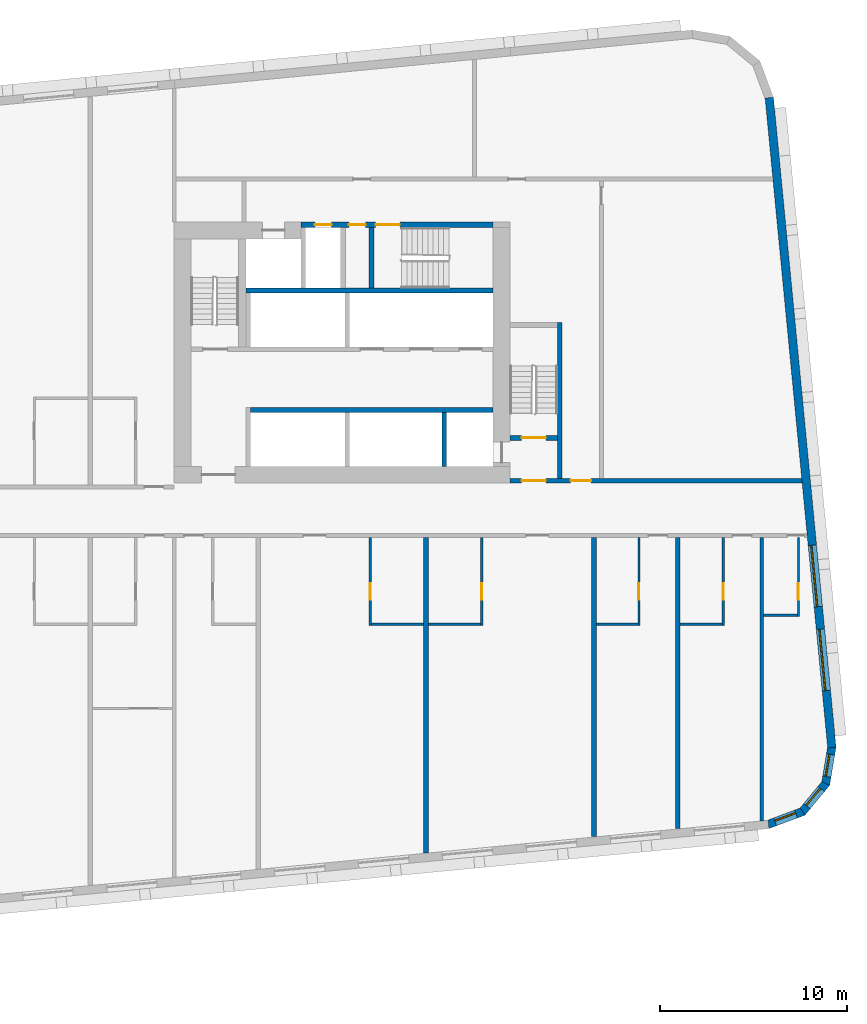
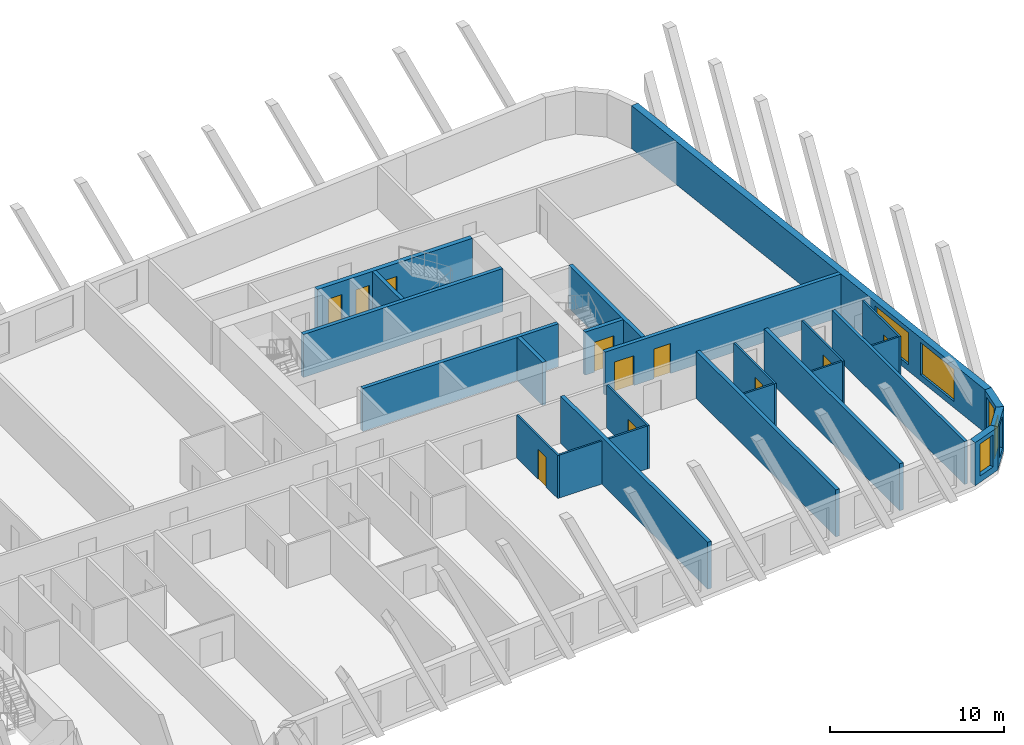
# One storey, part 7 of 13: 26 walls, 11 doors, 5 windows, 16 openings.
"""IFC4 building model written with IfcOpenShell, lengths in metres."""

import ifcopenshell
import ifcopenshell.guid

model = None  # the IFC model being written
_history = None  # IfcOwnerHistory: only IFC2X3 demands one
_inside = {}  # id of a spatial element -> (the spatial element, [elements in it])
_under = {}  # id of a project, library or spatial element -> (it, [spatial elements below it])
_declared = {}  # id of a project -> (the project, [libraries it declares])
_typed = {}  # id of a type object -> (the type object, [elements of that type])
_made_of = {}  # id of a material, layer set ... -> (it, [elements and type objects made of it])


def new_model(schema):
    """Start an empty IFC model of exactly this schema.

    Asked for "IFC4X3", IfcOpenShell would pick the latest addendum, in which some entities
    have other attributes; the version numbers below select the first issue.
    IFC2X3 requires an IfcOwnerHistory on every rooted entity: one is made here for all.
    """
    global model, _history
    if schema == "IFC4X3":
        model = ifcopenshell.file(schema_version=(4, 3, 0, 0))
    else:
        model = ifcopenshell.file(schema=schema)
    _inside.clear()
    _under.clear()
    _declared.clear()
    _typed.clear()
    _made_of.clear()
    _history = None
    if model.schema == "IFC2X3":
        org = make("IfcOrganization", Name="unknown")
        user = make(
            "IfcPersonAndOrganization",
            ThePerson=make("IfcPerson", FamilyName="unknown"),
            TheOrganization=org,
        )
        app = make(
            "IfcApplication",
            ApplicationDeveloper=org,
            Version="unknown",
            ApplicationFullName="unknown",
            ApplicationIdentifier="unknown",
        )
        _history = make(
            "IfcOwnerHistory",
            OwningUser=user,
            OwningApplication=app,
            ChangeAction="ADDED",
            CreationDate=0,
        )
    return model


def make(cls, **values):
    """One entity of the class cls with the attributes given. An attribute that is None is left unset."""
    return model.create_entity(
        cls, **{name: value for name, value in values.items() if value is not None}
    )


def rooted(cls, **values):
    """An entity with a GlobalId (a new one), such as an element, a storey or a relation."""
    return make(cls, GlobalId=ifcopenshell.guid.new(), OwnerHistory=_history, **values)


def si_unit(unit_type, name, prefix=None):
    """IfcSIUnit, for example si_unit("LENGTHUNIT", "METRE", prefix="MILLI")."""
    return make("IfcSIUnit", UnitType=unit_type, Prefix=prefix, Name=name)


def assignment(units):
    """IfcUnitAssignment: the units of a project."""
    return None if units is None else make("IfcUnitAssignment", Units=units)


def point(xyz):
    """IfcCartesianPoint."""
    return None if xyz is None else make("IfcCartesianPoint", Coordinates=xyz)


def direction(xyz):
    """IfcDirection."""
    return None if xyz is None else make("IfcDirection", DirectionRatios=xyz)


def frame(location, z_axis=None, x_axis=None):
    """IfcAxis2Placement3D, a coordinate frame: its origin and axes. An axis left out is left unset."""
    return make(
        "IfcAxis2Placement3D",
        Location=point(location),
        Axis=direction(z_axis),
        RefDirection=direction(x_axis),
    )


def frame_2d(location, x_axis=None):
    """IfcAxis2Placement2D, a coordinate frame in the plane: its origin and x axis."""
    return make(
        "IfcAxis2Placement2D", Location=point(location), RefDirection=direction(x_axis)
    )


def origin():
    """The frame at (0, 0, 0) with its axes left unset."""
    return frame((0.0, 0.0, 0.0))


def place(relative_to, where):
    """IfcLocalPlacement: puts the frame where relative to a parent placement (None: the world)."""
    return make(
        "IfcLocalPlacement", PlacementRelTo=relative_to, RelativePlacement=where
    )


def context(
    kind, dimensions, precision=None, world=None, true_north=None, identifier=None
):
    """IfcGeometricRepresentationContext, for example the 3D "Model" context."""
    return make(
        "IfcGeometricRepresentationContext",
        ContextIdentifier=identifier,
        ContextType=kind,
        CoordinateSpaceDimension=dimensions,
        Precision=precision,
        WorldCoordinateSystem=world,
        TrueNorth=true_north,
    )


def subcontext(parent, identifier, kind, view, scale=None):
    """IfcGeometricRepresentationSubContext, for example "Body" below "Model"."""
    return make(
        "IfcGeometricRepresentationSubContext",
        ContextIdentifier=identifier,
        ContextType=kind,
        ParentContext=parent,
        TargetScale=scale,
        TargetView=view,
    )


def project(units=None, contexts=None):
    """IfcProject with its units and contexts."""
    return rooted(
        "IfcProject",
        Name="project",
        RepresentationContexts=contexts,
        UnitsInContext=assignment(units),
    )


def spatial(cls, under=None, at=None, **own):
    """A site, building, storey or space (cls), placed at a placement, below another one or the project."""
    s = rooted(cls, ObjectPlacement=at, **own)
    if under is not None:
        _under.setdefault(under.id(), (under, []))[1].append(s)
    return s


def polyline(points):
    """IfcPolyline through the points."""
    return make("IfcPolyline", Points=[point(p) for p in points])


def profile(cls, at=None, kind="AREA", **sizes):
    """A parametric profile (cls). Its sizes go by their IFC names, for example OverallWidth=200.0."""
    return make(cls, ProfileType=kind, Position=at, **sizes)


def rectangle(**sizes):
    """IfcRectangleProfileDef."""
    return profile("IfcRectangleProfileDef", **sizes)


def outline(outer, holes=None, kind="AREA"):
    """IfcArbitraryClosedProfileDef: a profile drawn as a closed curve; with holes, ...WithVoids."""
    if holes is None:
        return make("IfcArbitraryClosedProfileDef", ProfileType=kind, OuterCurve=outer)
    return make(
        "IfcArbitraryProfileDefWithVoids",
        ProfileType=kind,
        OuterCurve=outer,
        InnerCurves=holes,
    )


def extrude(swept, where, along, depth):
    """IfcExtrudedAreaSolid: the profile swept, set in the frame where, extruded along a direction by depth."""
    return make(
        "IfcExtrudedAreaSolid",
        SweptArea=swept,
        Position=where,
        ExtrudedDirection=direction(along),
        Depth=depth,
    )


def shape(context_of_items, identifier, shape_type, items):
    """IfcShapeRepresentation: the items that make up one representation, for example the "Body"."""
    return make(
        "IfcShapeRepresentation",
        ContextOfItems=context_of_items,
        RepresentationIdentifier=identifier,
        RepresentationType=shape_type,
        Items=items,
    )


def material(Name=None, Category=None):
    """IfcMaterial."""
    return make("IfcMaterial", Name=Name, Category=Category)


def layer(
    of_material, thickness, ventilated=None, Name=None, Category=None, Priority=None
):
    """IfcMaterialLayer: one layer of a wall or slab, of a material (None: an air gap)."""
    return make(
        "IfcMaterialLayer",
        Material=of_material,
        LayerThickness=thickness,
        IsVentilated=ventilated,
        Name=Name,
        Category=Category,
        Priority=Priority,
    )


def layer_set(layers, Name=None):
    """IfcMaterialLayerSet."""
    return make("IfcMaterialLayerSet", MaterialLayers=layers, LayerSetName=Name)


def made_of(thing, what):
    """Note that an element or type object is made of a material, layer set ...; save() writes the relation."""
    if what is not None:
        _made_of.setdefault(what.id(), (what, []))[1].append(thing)
    return thing


def type_object(cls, material=None, **own):
    """A type object (cls), such as IfcWallType, which elements share."""
    return made_of(rooted(cls, **own), material)


def element(
    cls,
    number,
    at=None,
    inside=None,
    cuts=None,
    type_object=None,
    material=None,
    context=None,
    identifier="Body",
    shape_type=None,
    held_by="IfcProductDefinitionShape",
    body=None,
    shapes=None,
    **own,
):
    """One element of the class cls, such as IfcWall. Its Tag is "e" and its number.

    at: its placement. inside: the storey or other place that contains it. cuts: it is an
    opening in that element (IfcRelVoidsElement). A single representation is given by context,
    identifier, shape_type and body (its items); several are given by shapes. held_by: the class
    of the entity that holds the representations. save() writes the other relations.
    """
    e = rooted(cls, Tag="e%d" % number, ObjectPlacement=at, **own)
    if body is not None:
        shapes = [shape(context, identifier, shape_type, body)]
    if shapes is not None:
        e.Representation = make(held_by, Representations=shapes)
    if inside is not None:
        _inside.setdefault(inside.id(), (inside, []))[1].append(e)
    if cuts is not None:
        rooted(
            "IfcRelVoidsElement", RelatingBuildingElement=cuts, RelatedOpeningElement=e
        )
    if type_object is not None:
        _typed.setdefault(type_object.id(), (type_object, []))[1].append(e)
    return made_of(e, material)


def fill(opening, filler):
    """IfcRelFillsElement: the door or window that sits in an opening."""
    return rooted(
        "IfcRelFillsElement",
        RelatingOpeningElement=opening,
        RelatedBuildingElement=filler,
    )


def aggregate(whole, parts):
    """IfcRelAggregates: a whole, such as a stair, and the parts it consists of."""
    return rooted("IfcRelAggregates", RelatingObject=whole, RelatedObjects=parts)


def save(model, path):
    """Write the relations noted so far, then the file.

    IfcRelAggregates (storeys below a building ...), IfcRelContainedInSpatialStructure (elements
    in a storey), IfcRelDefinesByType, IfcRelAssociatesMaterial and IfcRelDeclares: one each for
    every whole, place, type object, material and project.
    """
    for whole, parts in _under.values():
        aggregate(whole, parts)
    for where, things in _inside.values():
        rooted(
            "IfcRelContainedInSpatialStructure",
            RelatedElements=things,
            RelatingStructure=where,
        )
    for kind, things in _typed.values():
        rooted("IfcRelDefinesByType", RelatedObjects=things, RelatingType=kind)
    for what, things in _made_of.values():
        rooted("IfcRelAssociatesMaterial", RelatedObjects=things, RelatingMaterial=what)
    for by, libraries in _declared.values():
        rooted("IfcRelDeclares", RelatingContext=by, RelatedDefinitions=libraries)
    model.write(path)


model = new_model("IFC4")

# Units and contexts
model_context = context("Model", 3, precision=1e-05, world=origin(), true_north=direction((0.0, 1.0)))
body_context = subcontext(model_context, "Body", "Model", "MODEL_VIEW")
ifc_project = project(units=[si_unit("LENGTHUNIT", "METRE"), si_unit("AREAUNIT", "SQUARE_METRE"), si_unit("VOLUMEUNIT", "CUBIC_METRE"), si_unit("PLANEANGLEUNIT", "RADIAN"), si_unit("MASSUNIT", "GRAM", prefix="KILO")], contexts=[model_context])

# Site, building, storey
site_placement = place(None, origin())
site = spatial("IfcSite", under=ifc_project, at=site_placement, CompositionType="ELEMENT")
building_placement = place(site_placement, origin())
building = spatial("IfcBuilding", under=site, at=building_placement, Name="Kajstack Hotel Tower", CompositionType="ELEMENT")
storey_placement = place(building_placement, frame((0.0, 0.0, 110.800048828125)))
storey = spatial("IfcBuildingStorey", under=building, at=storey_placement, Name="L23", CompositionType="ELEMENT", Elevation=110.800048828125)

# Wall
ifc_material_1 = material(Name="Twin-frame gypsum board on steel studs, mineral wool", Category="steel")
ifc_layer_1 = layer(ifc_material_1, 0.199951171875)
ifc_layer_set_1 = layer_set([ifc_layer_1], Name="Demising wall 200")
wall_type_1 = type_object("IfcWallType", Name="Demising wall 200", PredefinedType="PARTITIONING", material=ifc_layer_set_1)
wall_1_placement = place(storey_placement, frame((45.0, -16.59912109375, 0.0), z_axis=(0.0, 0.0, 1.0), x_axis=(0.0, 1.0, 0.0)))
element("IfcWall", 1, at=wall_1_placement, inside=storey, type_object=wall_type_1, Name="G-wall-L23-044", PredefinedType="PARTITIONING", context=body_context, shape_type="SweptSolid", body=[
    extrude(rectangle(XDim=15.19921875, YDim=0.199951171875, at=frame_2d((7.599609375, 0.0))), origin(), (0.0, 0.0, 1.0), 3.02001953125),
])

# Wall, opening, window
ifc_material_2 = material(Name="Terracotta-faced brick masonry", Category="masonry")
ifc_layer_2 = layer(ifc_material_2, 0.449951171875)
ifc_layer_set_2 = layer_set([ifc_layer_2], Name="EW-TERRA")
wall_type_2 = type_object("IfcWallType", Name="EW-TERRA", PredefinedType="SOLIDWALL", material=ifc_layer_set_2)
wall_2_placement = place(storey_placement, frame((45.300048828125, -16.804443359375, 0.0), z_axis=(0.0, 0.0, 1.0), x_axis=(0.936677599948, 0.350192909346, 0.0)))
wall_2 = element("IfcWall", 2, at=wall_2_placement, inside=storey, type_object=wall_type_2, Name="E-wall-L23-05-00", PredefinedType="SOLIDWALL", context=body_context, shape_type="SweptSolid", body=[
    extrude(outline(polyline([(0.0, -0.224853515625), (2.070556640625, -0.224853515625), (1.949951171875, 0.22509765625), (0.12060546875, 0.22509765625), (0.0, -0.224853515625)])), origin(), (0.0, 0.0, 1.0), 3.02001953125),
])
opening_1_placement = place(wall_2_placement, frame((0.435302734375, 0.0, 0.449951171875)))
opening_1 = element("IfcOpeningElement", 3, at=opening_1_placement, cuts=wall_2, Name="Opening W3", PredefinedType="OPENING", context=body_context, shape_type="SweptSolid", body=[
    extrude(rectangle(XDim=1.199951171875, YDim=2.25, at=frame_2d((0.60009765625, 1.125))), frame((0.0, 0.23486328125, 0.0), z_axis=(0.0, -1.0, 0.0), x_axis=(1.0, 0.0, 0.0)), (0.0, 0.0, 1.0), 0.469970703125),
])
ifc_material_3 = material(Name="Timber-aluminium window, triple glazed", Category="wood")
window_type_1 = type_object("IfcWindowType", Name="WG3", PartitioningType="SINGLE_PANEL", PredefinedType="WINDOW", material=ifc_material_3)
window_1_placement = place(opening_1_placement, origin())
window_1 = element("IfcWindow", 4, at=window_1_placement, inside=storey, type_object=window_type_1, Name="Window W3 L23-05", OverallHeight=2.25, OverallWidth=1.199951171875, PartitioningType="SINGLE_PANEL", PredefinedType="WINDOW", context=body_context, shape_type="SweptSolid", body=[
    extrude(rectangle(XDim=1.199951171875, YDim=2.25, at=frame_2d((0.60009765625, 1.125))), frame((0.0, 0.090087890625, 0.0), z_axis=(0.0, -1.0, 0.0), x_axis=(1.0, 0.0, 0.0)), (0.0, 0.0, 1.0), 0.06005859375),
])
fill(opening_1, window_1)

wall_3_placement = place(storey_placement, frame((47.144775390625, -16.14697265625, 0.0), z_axis=(0.0, 0.0, 1.0), x_axis=(0.635988241739, 0.771698747161, 0.0)))
wall_3 = element("IfcWall", 5, at=wall_3_placement, inside=storey, type_object=wall_type_2, Name="E-wall-L23-06-00", PredefinedType="SOLIDWALL", context=body_context, shape_type="SweptSolid", body=[
    extrude(outline(polyline([(0.0, -0.224853515625), (2.070556640625, -0.22509765625), (1.949951171875, 0.224853515625), (0.12060546875, 0.22509765625), (0.0, -0.224853515625)])), origin(), (0.0, 0.0, 1.0), 3.02001953125),
])
opening_2_placement = place(wall_3_placement, frame((0.435302734375, 0.0, 0.449951171875)))
opening_2 = element("IfcOpeningElement", 6, at=opening_2_placement, cuts=wall_3, Name="Opening W3", PredefinedType="OPENING", context=body_context, shape_type="SweptSolid", body=[
    extrude(rectangle(XDim=1.199951171875, YDim=2.25, at=frame_2d((0.60009765625, 1.125))), frame((0.0, 0.23486328125, 0.0), z_axis=(0.0, -1.0, 0.0), x_axis=(1.0, 0.0, 0.0)), (0.0, 0.0, 1.0), 0.469970703125),
])
window_2_placement = place(opening_2_placement, origin())
window_2 = element("IfcWindow", 7, at=window_2_placement, inside=storey, type_object=window_type_1, Name="Window W3 L23-06", OverallHeight=2.25, OverallWidth=1.199951171875, PartitioningType="SINGLE_PANEL", PredefinedType="WINDOW", context=body_context, shape_type="SweptSolid", body=[
    extrude(rectangle(XDim=1.199951171875, YDim=2.25, at=frame_2d((0.60009765625, 1.125))), frame((0.0, 0.090087890625, 0.0), z_axis=(0.0, -1.0, 0.0), x_axis=(1.0, 0.0, 0.0)), (0.0, 0.0, 1.0), 0.06005859375),
])
fill(opening_2, window_2)

wall_4_placement = place(storey_placement, frame((48.413330078125, -14.6552734375, 0.0), z_axis=(0.0, 0.0, 1.0), x_axis=(0.165068144653, 0.986282164302, 0.0)))
wall_4 = element("IfcWall", 8, at=wall_4_placement, inside=storey, type_object=wall_type_2, Name="E-wall-L23-07-00", PredefinedType="SOLIDWALL", context=body_context, shape_type="SweptSolid", body=[
    extrude(outline(polyline([(0.0, -0.22509765625), (2.07080078125, -0.224853515625), (1.9501953125, 0.22509765625), (0.12060546875, 0.224853515625), (0.0, -0.22509765625)])), origin(), (0.0, 0.0, 1.0), 3.02001953125),
])
opening_3_placement = place(wall_4_placement, frame((0.435302734375, 0.0, 0.449951171875)))
opening_3 = element("IfcOpeningElement", 9, at=opening_3_placement, cuts=wall_4, Name="Opening W3", PredefinedType="OPENING", context=body_context, shape_type="SweptSolid", body=[
    extrude(rectangle(XDim=1.199951171875, YDim=2.25, at=frame_2d((0.60009765625, 1.125))), frame((0.0, 0.23486328125, 0.0), z_axis=(0.0, -1.0, 0.0), x_axis=(1.0, 0.0, 0.0)), (0.0, 0.0, 1.0), 0.469970703125),
])
window_3_placement = place(opening_3_placement, origin())
window_3 = element("IfcWindow", 10, at=window_3_placement, inside=storey, type_object=window_type_1, Name="Window W3 L23-07", OverallHeight=2.25, OverallWidth=1.199951171875, PartitioningType="SINGLE_PANEL", PredefinedType="WINDOW", context=body_context, shape_type="SweptSolid", body=[
    extrude(rectangle(XDim=1.199951171875, YDim=2.25, at=frame_2d((0.60009765625, 1.125))), frame((0.0, 0.090087890625, 0.0), z_axis=(0.0, -1.0, 0.0), x_axis=(1.0, 0.0, 0.0)), (0.0, 0.0, 1.0), 0.06005859375),
])
fill(opening_3, window_3)

# Wall, openings, windows
wall_5_placement = place(storey_placement, frame((48.7529296875, -12.671630859375, 0.0), z_axis=(0.0, 0.0, 1.0), x_axis=(-0.095842661909, 0.995396495954, 0.0)))
wall_5 = element("IfcWall", 11, at=wall_5_placement, inside=storey, type_object=wall_type_2, Name="E-wall-L23-08-00", PredefinedType="SOLIDWALL", context=body_context, shape_type="SweptSolid", body=[
    extrude(rectangle(XDim=35.0, YDim=0.449951171875, at=frame_2d((17.5, 0.0))), origin(), (0.0, 0.0, 1.0), 3.02001953125),
])
opening_4_placement = place(wall_5_placement, frame((3.07177734375, 0.0, 0.449951171875)))
opening_4 = element("IfcOpeningElement", 12, at=opening_4_placement, cuts=wall_5, Name="Opening W2", PredefinedType="OPENING", context=body_context, shape_type="SweptSolid", body=[
    extrude(rectangle(XDim=3.300048828125, YDim=2.25, at=frame_2d((1.64990234375, 1.125))), frame((0.0, 0.23486328125, 0.0), z_axis=(0.0, -1.0, 0.0), x_axis=(1.0, 0.0, 0.0)), (0.0, 0.0, 1.0), 0.469970703125),
])
opening_5_placement = place(wall_5_placement, frame((7.592529296875, 0.0, 0.449951171875)))
opening_5 = element("IfcOpeningElement", 13, at=opening_5_placement, cuts=wall_5, Name="Opening W2", PredefinedType="OPENING", context=body_context, shape_type="SweptSolid", body=[
    extrude(rectangle(XDim=3.300048828125, YDim=2.25, at=frame_2d((1.64990234375, 1.125))), frame((0.0, 0.23486328125, 0.0), z_axis=(0.0, -1.0, 0.0), x_axis=(1.0, 0.0, 0.0)), (0.0, 0.0, 1.0), 0.469970703125),
])
window_type_2 = type_object("IfcWindowType", Name="WG2", PartitioningType="SINGLE_PANEL", PredefinedType="WINDOW", material=ifc_material_3)
window_4_placement = place(opening_4_placement, origin())
window_4 = element("IfcWindow", 14, at=window_4_placement, inside=storey, type_object=window_type_2, Name="Window W2 L23-08", OverallHeight=2.25, OverallWidth=3.300048828125, PartitioningType="SINGLE_PANEL", PredefinedType="WINDOW", context=body_context, shape_type="SweptSolid", body=[
    extrude(rectangle(XDim=3.300048828125, YDim=2.25, at=frame_2d((1.64990234375, 1.125))), frame((0.0, 0.090087890625, 0.0), z_axis=(0.0, -1.0, 0.0), x_axis=(1.0, 0.0, 0.0)), (0.0, 0.0, 1.0), 0.06005859375),
])
fill(opening_4, window_4)
window_5_placement = place(opening_5_placement, origin())
window_5 = element("IfcWindow", 15, at=window_5_placement, inside=storey, type_object=window_type_2, Name="Window W2 L23-08", OverallHeight=2.25, OverallWidth=3.300048828125, PartitioningType="SINGLE_PANEL", PredefinedType="WINDOW", context=body_context, shape_type="SweptSolid", body=[
    extrude(rectangle(XDim=3.300048828125, YDim=2.25, at=frame_2d((1.64990234375, 1.125))), frame((0.0, 0.090087890625, 0.0), z_axis=(0.0, -1.0, 0.0), x_axis=(1.0, 0.0, 0.0)), (0.0, 0.0, 1.0), 0.06005859375),
])
fill(opening_5, window_5)

# Wall, opening, door
ifc_material_4 = material(Name="Gypsum board and tiled backer on steel studs", Category="steel")
ifc_layer_3 = layer(ifc_material_4, 0.125)
ifc_layer_set_3 = layer_set([ifc_layer_3], Name="En-suite wall 125")
wall_type_3 = type_object("IfcWallType", Name="En-suite wall 125", PredefinedType="PARTITIONING", material=ifc_layer_set_3)
wall_6_placement = place(storey_placement, frame((24.011962890625, -6.125, 0.0), z_axis=(0.0, 0.0, 1.0), x_axis=(0.0, 1.0, 0.0)))
wall_6 = element("IfcWall", 16, at=wall_6_placement, inside=storey, type_object=wall_type_3, Name="G-wall-L23-038", PredefinedType="PARTITIONING", context=body_context, shape_type="SweptSolid", body=[
    extrude(rectangle(XDim=4.72509765625, YDim=0.125, at=frame_2d((2.362548828125, 0.0))), origin(), (0.0, 0.0, 1.0), 3.02001953125),
])
opening_6_placement = place(wall_6_placement, frame((1.375, 0.0, 0.0)))
opening_6 = element("IfcOpeningElement", 17, at=opening_6_placement, cuts=wall_6, Name="Opening 23032", PredefinedType="OPENING", context=body_context, shape_type="SweptSolid", body=[
    extrude(rectangle(XDim=0.89990234375, YDim=2.10009765625, at=frame_2d((0.449951171875, 1.050048828125))), frame((0.0, 0.072509765625, 0.0), z_axis=(0.0, -1.0, 0.0), x_axis=(1.0, 0.0, 0.0)), (0.0, 0.0, 1.0), 0.14501953125),
])
ifc_material_5 = material(Name="Painted timber door leaf", Category="wood")
door_type_1 = type_object("IfcDoorType", Name="Room door 900", OperationType="SINGLE_SWING_LEFT", PredefinedType="DOOR", material=ifc_material_5)
door_1_placement = place(opening_6_placement, origin())
door_1 = element("IfcDoor", 18, at=door_1_placement, inside=storey, type_object=door_type_1, Name="G-door-L23-32", OperationType="SINGLE_SWING_RIGHT", OverallHeight=2.10009765625, OverallWidth=0.89990234375, PredefinedType="DOOR", context=body_context, shape_type="SweptSolid", body=[
    extrude(rectangle(XDim=0.89990234375, YDim=2.10009765625, at=frame_2d((0.449951171875, 1.050048828125))), frame((0.0, 0.02490234375, 0.0), z_axis=(0.0, -1.0, 0.0), x_axis=(1.0, 0.0, 0.0)), (0.0, 0.0, 1.0), 0.050048828125),
])
fill(opening_6, door_1)

# Wall
wall_7_placement = place(storey_placement, frame((24.074951171875, -6.06201171875, 0.0), z_axis=(0.0, 0.0, 1.0), x_axis=(1.0, 0.0, 0.0)))
element("IfcWall", 19, at=wall_7_placement, inside=storey, type_object=wall_type_3, Name="G-wall-L23-039", PredefinedType="PARTITIONING", context=body_context, shape_type="SweptSolid", body=[
    extrude(rectangle(XDim=2.800048828125, YDim=0.125, at=frame_2d((1.39990234375, 0.0))), origin(), (0.0, 0.0, 1.0), 3.02001953125),
])

# Wall, opening, door
wall_8_placement = place(storey_placement, frame((29.988037109375, -6.125, 0.0), z_axis=(0.0, 0.0, 1.0), x_axis=(0.0, 1.0, 0.0)))
wall_8 = element("IfcWall", 20, at=wall_8_placement, inside=storey, type_object=wall_type_3, Name="G-wall-L23-040", PredefinedType="PARTITIONING", context=body_context, shape_type="SweptSolid", body=[
    extrude(rectangle(XDim=4.72509765625, YDim=0.125, at=frame_2d((2.362548828125, 0.0))), origin(), (0.0, 0.0, 1.0), 3.02001953125),
])
opening_7_placement = place(wall_8_placement, frame((1.375, 0.0, 0.0)))
opening_7 = element("IfcOpeningElement", 21, at=opening_7_placement, cuts=wall_8, Name="Opening 23034", PredefinedType="OPENING", context=body_context, shape_type="SweptSolid", body=[
    extrude(rectangle(XDim=0.89990234375, YDim=2.10009765625, at=frame_2d((0.449951171875, 1.050048828125))), frame((0.0, 0.072509765625, 0.0), z_axis=(0.0, -1.0, 0.0), x_axis=(1.0, 0.0, 0.0)), (0.0, 0.0, 1.0), 0.14501953125),
])
door_2_placement = place(opening_7_placement, origin())
door_2 = element("IfcDoor", 22, at=door_2_placement, inside=storey, type_object=door_type_1, Name="G-door-L23-34", OperationType="SINGLE_SWING_RIGHT", OverallHeight=2.10009765625, OverallWidth=0.89990234375, PredefinedType="DOOR", context=body_context, shape_type="SweptSolid", body=[
    extrude(rectangle(XDim=0.89990234375, YDim=2.10009765625, at=frame_2d((0.449951171875, 1.050048828125))), frame((0.0, 0.02490234375, 0.0), z_axis=(0.0, -1.0, 0.0), x_axis=(1.0, 0.0, 0.0)), (0.0, 0.0, 1.0), 0.050048828125),
])
fill(opening_7, door_2)

# Wall
wall_9_placement = place(storey_placement, frame((27.125, -6.06201171875, 0.0), z_axis=(0.0, 0.0, 1.0), x_axis=(1.0, 0.0, 0.0)))
element("IfcWall", 23, at=wall_9_placement, inside=storey, type_object=wall_type_3, Name="G-wall-L23-041", PredefinedType="PARTITIONING", context=body_context, shape_type="SweptSolid", body=[
    extrude(rectangle(XDim=2.800048828125, YDim=0.125, at=frame_2d((1.39990234375, 0.0))), origin(), (0.0, 0.0, 1.0), 3.02001953125),
])

# Wall, opening, door
wall_10_placement = place(storey_placement, frame((38.4130859375, -6.125, 0.0), z_axis=(0.0, 0.0, 1.0), x_axis=(0.0, 1.0, 0.0)))
wall_10 = element("IfcWall", 24, at=wall_10_placement, inside=storey, type_object=wall_type_3, Name="G-wall-L23-042", PredefinedType="PARTITIONING", context=body_context, shape_type="SweptSolid", body=[
    extrude(rectangle(XDim=4.72509765625, YDim=0.125, at=frame_2d((2.362548828125, 0.0))), origin(), (0.0, 0.0, 1.0), 3.02001953125),
])
opening_8_placement = place(wall_10_placement, frame((1.375, 0.0, 0.0)))
opening_8 = element("IfcOpeningElement", 25, at=opening_8_placement, cuts=wall_10, Name="Opening 23036", PredefinedType="OPENING", context=body_context, shape_type="SweptSolid", body=[
    extrude(rectangle(XDim=0.89990234375, YDim=2.10009765625, at=frame_2d((0.449951171875, 1.050048828125))), frame((0.0, 0.072509765625, 0.0), z_axis=(0.0, -1.0, 0.0), x_axis=(1.0, 0.0, 0.0)), (0.0, 0.0, 1.0), 0.14501953125),
])
door_3_placement = place(opening_8_placement, origin())
door_3 = element("IfcDoor", 26, at=door_3_placement, inside=storey, type_object=door_type_1, Name="G-door-L23-36", OperationType="SINGLE_SWING_RIGHT", OverallHeight=2.10009765625, OverallWidth=0.89990234375, PredefinedType="DOOR", context=body_context, shape_type="SweptSolid", body=[
    extrude(rectangle(XDim=0.89990234375, YDim=2.10009765625, at=frame_2d((0.449951171875, 1.050048828125))), frame((0.0, 0.02490234375, 0.0), z_axis=(0.0, -1.0, 0.0), x_axis=(1.0, 0.0, 0.0)), (0.0, 0.0, 1.0), 0.050048828125),
])
fill(opening_8, door_3)

# Wall
wall_11_placement = place(storey_placement, frame((36.125, -6.06201171875, 0.0), z_axis=(0.0, 0.0, 1.0), x_axis=(1.0, 0.0, 0.0)))
element("IfcWall", 27, at=wall_11_placement, inside=storey, type_object=wall_type_3, Name="G-wall-L23-043", PredefinedType="PARTITIONING", context=body_context, shape_type="SweptSolid", body=[
    extrude(rectangle(XDim=2.22509765625, YDim=0.125, at=frame_2d((1.112548828125, 0.0))), origin(), (0.0, 0.0, 1.0), 3.02001953125),
])

# Wall, opening, door
wall_12_placement = place(storey_placement, frame((42.93798828125, -6.125, 0.0), z_axis=(0.0, 0.0, 1.0), x_axis=(0.0, 1.0, 0.0)))
wall_12 = element("IfcWall", 28, at=wall_12_placement, inside=storey, type_object=wall_type_3, Name="G-wall-L23-045", PredefinedType="PARTITIONING", context=body_context, shape_type="SweptSolid", body=[
    extrude(rectangle(XDim=4.72509765625, YDim=0.125, at=frame_2d((2.362548828125, 0.0))), origin(), (0.0, 0.0, 1.0), 3.02001953125),
])
opening_9_placement = place(wall_12_placement, frame((1.375, 0.0, 0.0)))
opening_9 = element("IfcOpeningElement", 29, at=opening_9_placement, cuts=wall_12, Name="Opening 23038", PredefinedType="OPENING", context=body_context, shape_type="SweptSolid", body=[
    extrude(rectangle(XDim=0.89990234375, YDim=2.10009765625, at=frame_2d((0.449951171875, 1.050048828125))), frame((0.0, 0.072509765625, 0.0), z_axis=(0.0, -1.0, 0.0), x_axis=(1.0, 0.0, 0.0)), (0.0, 0.0, 1.0), 0.14501953125),
])
door_4_placement = place(opening_9_placement, origin())
door_4 = element("IfcDoor", 30, at=door_4_placement, inside=storey, type_object=door_type_1, Name="G-door-L23-38", OperationType="SINGLE_SWING_LEFT", OverallHeight=2.10009765625, OverallWidth=0.89990234375, PredefinedType="DOOR", context=body_context, shape_type="SweptSolid", body=[
    extrude(rectangle(XDim=0.89990234375, YDim=2.10009765625, at=frame_2d((0.449951171875, 1.050048828125))), frame((0.0, 0.02490234375, 0.0), z_axis=(0.0, -1.0, 0.0), x_axis=(1.0, 0.0, 0.0)), (0.0, 0.0, 1.0), 0.050048828125),
])
fill(opening_9, door_4)

# Wall
wall_13_placement = place(storey_placement, frame((40.625, -6.06201171875, 0.0), z_axis=(0.0, 0.0, 1.0), x_axis=(1.0, 0.0, 0.0)))
element("IfcWall", 31, at=wall_13_placement, inside=storey, type_object=wall_type_3, Name="G-wall-L23-046", PredefinedType="PARTITIONING", context=body_context, shape_type="SweptSolid", body=[
    extrude(rectangle(XDim=2.25, YDim=0.125, at=frame_2d((1.125, 0.0))), origin(), (0.0, 0.0, 1.0), 3.02001953125),
])

# Wall, opening, door
wall_14_placement = place(storey_placement, frame((46.9619140625, -5.634033203125, 0.0), z_axis=(0.0, 0.0, 1.0), x_axis=(0.0, 1.0, 0.0)))
wall_14 = element("IfcWall", 32, at=wall_14_placement, inside=storey, type_object=wall_type_3, Name="G-wall-L23-047", PredefinedType="PARTITIONING", context=body_context, shape_type="SweptSolid", body=[
    extrude(rectangle(XDim=4.234130859375, YDim=0.125, at=frame_2d((2.1171875, 0.0))), origin(), (0.0, 0.0, 1.0), 3.02001953125),
])
opening_10_placement = place(wall_14_placement, frame((0.884033203125, 0.0, 0.0)))
opening_10 = element("IfcOpeningElement", 33, at=opening_10_placement, cuts=wall_14, Name="Opening 23040", PredefinedType="OPENING", context=body_context, shape_type="SweptSolid", body=[
    extrude(rectangle(XDim=0.89990234375, YDim=2.10009765625, at=frame_2d((0.449951171875, 1.050048828125))), frame((0.0, 0.072509765625, 0.0), z_axis=(0.0, -1.0, 0.0), x_axis=(1.0, 0.0, 0.0)), (0.0, 0.0, 1.0), 0.14501953125),
])
door_5_placement = place(opening_10_placement, origin())
door_5 = element("IfcDoor", 34, at=door_5_placement, inside=storey, type_object=door_type_1, Name="G-door-L23-40", OperationType="SINGLE_SWING_LEFT", OverallHeight=2.10009765625, OverallWidth=0.89990234375, PredefinedType="DOOR", context=body_context, shape_type="SweptSolid", body=[
    extrude(rectangle(XDim=0.89990234375, YDim=2.10009765625, at=frame_2d((0.449951171875, 1.050048828125))), frame((0.0, 0.02490234375, 0.0), z_axis=(0.0, -1.0, 0.0), x_axis=(1.0, 0.0, 0.0)), (0.0, 0.0, 1.0), 0.050048828125),
])
fill(opening_10, door_5)

# Walls
wall_15_placement = place(storey_placement, frame((45.10009765625, -5.572021484375, 0.0), z_axis=(0.0, 0.0, 1.0), x_axis=(1.0, 0.0, 0.0)))
element("IfcWall", 35, at=wall_15_placement, inside=storey, type_object=wall_type_3, Name="G-wall-L23-048", PredefinedType="PARTITIONING", context=body_context, shape_type="SweptSolid", body=[
    extrude(rectangle(XDim=1.7998046875, YDim=0.125, at=frame_2d((0.89990234375, 0.0))), origin(), (0.0, 0.0, 1.0), 3.02001953125),
])
ifc_material_6 = material(Name="Concrete C55/67", Category="concrete")
ifc_layer_4 = layer(ifc_material_6, 0.25)
ifc_layer_set_4 = layer_set([ifc_layer_4], Name="RC cross wall 250 C55/67")
wall_type_4 = type_object("IfcWallType", Name="RC cross wall 250 C55/67", PredefinedType="SHEAR", material=ifc_layer_set_4)
wall_16_placement = place(storey_placement, frame((27.0, -18.310546875, 0.0), z_axis=(0.0, 0.0, 1.0), x_axis=(0.0, 1.0, 0.0)))
element("IfcWall", 36, at=wall_16_placement, inside=storey, type_object=wall_type_4, Name="S-wall-L23-11", PredefinedType="SHEAR", context=body_context, shape_type="SweptSolid", body=[
    extrude(rectangle(XDim=16.91064453125, YDim=0.25, at=frame_2d((8.455322265625, 0.0))), origin(), (0.0, 0.0, 1.0), 3.300048828125),
])
wall_17_placement = place(storey_placement, frame((36.0, -17.444091796875, 0.0), z_axis=(0.0, 0.0, 1.0), x_axis=(0.0, 1.0, 0.0)))
element("IfcWall", 37, at=wall_17_placement, inside=storey, type_object=wall_type_4, Name="S-wall-L23-12", PredefinedType="SHEAR", context=body_context, shape_type="SweptSolid", body=[
    extrude(rectangle(XDim=16.044189453125, YDim=0.25, at=frame_2d((8.02197265625, 0.0))), origin(), (0.0, 0.0, 1.0), 3.300048828125),
])
wall_18_placement = place(storey_placement, frame((40.5, -17.0107421875, 0.0), z_axis=(0.0, 0.0, 1.0), x_axis=(0.0, 1.0, 0.0)))
element("IfcWall", 38, at=wall_18_placement, inside=storey, type_object=wall_type_4, Name="S-wall-L23-13", PredefinedType="SHEAR", context=body_context, shape_type="SweptSolid", body=[
    extrude(rectangle(XDim=15.61083984375, YDim=0.25, at=frame_2d((7.805419921875, 0.0))), origin(), (0.0, 0.0, 1.0), 3.300048828125),
])

# Wall, openings, doors
ifc_material_7 = material(Name="Gypsum board on steel studs, mineral wool", Category="steel")
ifc_layer_5 = layer(ifc_material_7, 0.199951171875)
ifc_layer_set_5 = layer_set([ifc_layer_5], Name="Service partition 200")
wall_type_5 = type_object("IfcWallType", Name="Service partition 200", PredefinedType="PARTITIONING", material=ifc_layer_set_5)
wall_19_placement = place(storey_placement, frame((31.5, 1.625, 0.0), z_axis=(0.0, 0.0, 1.0), x_axis=(1.0, 0.0, 0.0)))
wall_19 = element("IfcWall", 39, at=wall_19_placement, inside=storey, type_object=wall_type_5, Name="Partition E SN", PredefinedType="PARTITIONING", context=body_context, shape_type="SweptSolid", body=[
    extrude(rectangle(XDim=15.650390625, YDim=0.25, at=frame_2d((7.8251953125, 0.0))), origin(), (0.0, 0.0, 1.0), 3.02001953125),
])
opening_11_placement = place(wall_19_placement, frame((0.625, 0.0, 0.0)))
opening_11 = element("IfcOpeningElement", 40, at=opening_11_placement, cuts=wall_19, Name="Opening 23E07", PredefinedType="OPENING", context=body_context, shape_type="SweptSolid", body=[
    extrude(rectangle(XDim=1.300048828125, YDim=2.10009765625, at=frame_2d((0.64990234375, 1.050048828125))), frame((0.0, 0.135009765625, 0.0), z_axis=(0.0, -1.0, 0.0), x_axis=(1.0, 0.0, 0.0)), (0.0, 0.0, 1.0), 0.27001953125),
])
opening_12_placement = place(wall_19_placement, frame((3.25, 0.0, 0.0)))
opening_12 = element("IfcOpeningElement", 41, at=opening_12_placement, cuts=wall_19, Name="Opening 23E09", PredefinedType="OPENING", context=body_context, shape_type="SweptSolid", body=[
    extrude(rectangle(XDim=1.10009765625, YDim=2.10009765625, at=frame_2d((0.550048828125, 1.050048828125))), frame((0.0, 0.135009765625, 0.0), z_axis=(0.0, -1.0, 0.0), x_axis=(1.0, 0.0, 0.0)), (0.0, 0.0, 1.0), 0.27001953125),
])
ifc_material_8 = material(Name="Steel leaf, fire-rated", Category="steel")
door_type_2 = type_object("IfcDoorType", Name="Fire lobby door 1300", OperationType="SINGLE_SWING_LEFT", PredefinedType="DOOR", material=ifc_material_8)
door_6_placement = place(opening_11_placement, origin())
door_6 = element("IfcDoor", 42, at=door_6_placement, inside=storey, type_object=door_type_2, Name="Door 23E07", OperationType="SINGLE_SWING_LEFT", OverallHeight=2.10009765625, OverallWidth=1.300048828125, PredefinedType="DOOR", context=body_context, shape_type="SweptSolid", body=[
    extrude(rectangle(XDim=1.300048828125, YDim=2.10009765625, at=frame_2d((0.64990234375, 1.050048828125))), frame((0.0, 0.02490234375, 0.0), z_axis=(0.0, -1.0, 0.0), x_axis=(1.0, 0.0, 0.0)), (0.0, 0.0, 1.0), 0.050048828125),
])
fill(opening_11, door_6)
ifc_material_9 = material(Name="Timber leaf, fire-rated", Category="wood")
door_type_3 = type_object("IfcDoorType", Name="Service corridor door 1100", OperationType="SINGLE_SWING_LEFT", PredefinedType="DOOR", material=ifc_material_9)
door_7_placement = place(opening_12_placement, origin())
door_7 = element("IfcDoor", 43, at=door_7_placement, inside=storey, type_object=door_type_3, Name="Door 23E09", OperationType="SINGLE_SWING_LEFT", OverallHeight=2.10009765625, OverallWidth=1.10009765625, PredefinedType="DOOR", context=body_context, shape_type="SweptSolid", body=[
    extrude(rectangle(XDim=1.10009765625, YDim=2.10009765625, at=frame_2d((0.550048828125, 1.050048828125))), frame((0.0, 0.02490234375, 0.0), z_axis=(0.0, -1.0, 0.0), x_axis=(1.0, 0.0, 0.0)), (0.0, 0.0, 1.0), 0.050048828125),
])
fill(opening_12, door_7)

ifc_material_10 = material(Name="Concrete C50/60", Category="concrete")
ifc_layer_6 = layer(ifc_material_10, 0.25)
ifc_layer_set_6 = layer_set([ifc_layer_6], Name="Shaft wall 250")
wall_type_6 = type_object("IfcWallType", Name="Shaft wall 250", PredefinedType="SHEAR", material=ifc_layer_set_6)
wall_20_placement = place(storey_placement, frame((20.300048828125, 15.35009765625, 0.0), z_axis=(0.0, 0.0, 1.0), x_axis=(1.0, 0.0, 0.0)))
wall_20 = element("IfcWall", 44, at=wall_20_placement, inside=storey, type_object=wall_type_6, Name="Core wall E RSS", PredefinedType="SHEAR", context=body_context, shape_type="SweptSolid", body=[
    extrude(rectangle(XDim=10.300048828125, YDim=0.300048828125, at=frame_2d((5.14990234375, 0.0))), origin(), (0.0, 0.0, 1.0), 3.02001953125),
])
opening_13_placement = place(wall_20_placement, frame((4.0, 0.0, 0.0)))
opening_13 = element("IfcOpeningElement", 45, at=opening_13_placement, cuts=wall_20, Name="Opening 23E11", PredefinedType="OPENING", context=body_context, shape_type="SweptSolid", body=[
    extrude(rectangle(XDim=1.300048828125, YDim=2.10009765625, at=frame_2d((0.64990234375, 1.050048828125))), frame((0.0, 0.159912109375, 0.0), z_axis=(0.0, -1.0, 0.0), x_axis=(1.0, 0.0, 0.0)), (0.0, 0.0, 1.0), 0.320068359375),
])
opening_14_placement = place(wall_20_placement, frame((2.5625, 0.0, 0.0)))
opening_14 = element("IfcOpeningElement", 46, at=opening_14_placement, cuts=wall_20, Name="Opening 23E12", PredefinedType="OPENING", context=body_context, shape_type="SweptSolid", body=[
    extrude(rectangle(XDim=0.89990234375, YDim=2.10009765625, at=frame_2d((0.449951171875, 1.050048828125))), frame((0.0, 0.159912109375, 0.0), z_axis=(0.0, -1.0, 0.0), x_axis=(1.0, 0.0, 0.0)), (0.0, 0.0, 1.0), 0.320068359375),
])
opening_15_placement = place(wall_20_placement, frame((0.737548828125, 0.0, 0.0)))
opening_15 = element("IfcOpeningElement", 47, at=opening_15_placement, cuts=wall_20, Name="Opening 23E13", PredefinedType="OPENING", context=body_context, shape_type="SweptSolid", body=[
    extrude(rectangle(XDim=0.89990234375, YDim=2.10009765625, at=frame_2d((0.449951171875, 1.050048828125))), frame((0.0, 0.159912109375, 0.0), z_axis=(0.0, -1.0, 0.0), x_axis=(1.0, 0.0, 0.0)), (0.0, 0.0, 1.0), 0.320068359375),
])
door_type_4 = type_object("IfcDoorType", Name="Riser door 900", OperationType="SINGLE_SWING_LEFT", PredefinedType="DOOR", material=ifc_material_8)
door_8_placement = place(opening_15_placement, origin())
door_8 = element("IfcDoor", 48, at=door_8_placement, inside=storey, type_object=door_type_4, Name="Door 23E13", OperationType="SINGLE_SWING_RIGHT", OverallHeight=2.10009765625, OverallWidth=0.89990234375, PredefinedType="DOOR", context=body_context, shape_type="SweptSolid", body=[
    extrude(rectangle(XDim=0.89990234375, YDim=2.10009765625, at=frame_2d((0.449951171875, 1.050048828125))), frame((0.0, 0.02490234375, 0.0), z_axis=(0.0, -1.0, 0.0), x_axis=(1.0, 0.0, 0.0)), (0.0, 0.0, 1.0), 0.050048828125),
])
fill(opening_15, door_8)
door_type_5 = type_object("IfcDoorType", Name="Service door 900", OperationType="SINGLE_SWING_LEFT", PredefinedType="DOOR", material=ifc_material_9)
door_9_placement = place(opening_14_placement, origin())
door_9 = element("IfcDoor", 49, at=door_9_placement, inside=storey, type_object=door_type_5, Name="Door 23E12", OperationType="SINGLE_SWING_RIGHT", OverallHeight=2.10009765625, OverallWidth=0.89990234375, PredefinedType="DOOR", context=body_context, shape_type="SweptSolid", body=[
    extrude(rectangle(XDim=0.89990234375, YDim=2.10009765625, at=frame_2d((0.449951171875, 1.050048828125))), frame((0.0, 0.02490234375, 0.0), z_axis=(0.0, -1.0, 0.0), x_axis=(1.0, 0.0, 0.0)), (0.0, 0.0, 1.0), 0.050048828125),
])
fill(opening_14, door_9)
door_type_6 = type_object("IfcDoorType", Name="Stair door 1300", OperationType="SINGLE_SWING_LEFT", PredefinedType="DOOR", material=ifc_material_8)
door_10_placement = place(opening_13_placement, origin())
door_10 = element("IfcDoor", 50, at=door_10_placement, inside=storey, type_object=door_type_6, Name="Door 23E11", OperationType="SINGLE_SWING_LEFT", OverallHeight=2.10009765625, OverallWidth=1.300048828125, PredefinedType="DOOR", context=body_context, shape_type="SweptSolid", body=[
    extrude(rectangle(XDim=1.300048828125, YDim=2.10009765625, at=frame_2d((0.64990234375, 1.050048828125))), frame((0.0, 0.02490234375, 0.0), z_axis=(0.0, -1.0, 0.0), x_axis=(1.0, 0.0, 0.0)), (0.0, 0.0, 1.0), 0.050048828125),
])
fill(opening_13, door_10)

# Walls
wall_21_placement = place(storey_placement, frame((17.60009765625, 5.425048828125, 0.0), z_axis=(0.0, 0.0, 1.0), x_axis=(1.0, 0.0, 0.0)))
element("IfcWall", 51, at=wall_21_placement, inside=storey, type_object=wall_type_6, Name="Core wall E FA", PredefinedType="SHEAR", context=body_context, shape_type="SweptSolid", body=[
    extrude(rectangle(XDim=13.0, YDim=0.25, at=frame_2d((6.5, 0.0))), origin(), (0.0, 0.0, 1.0), 3.02001953125),
])
wall_22_placement = place(storey_placement, frame((27.97509765625, 2.39990234375, 0.0), z_axis=(0.0, 0.0, 1.0), x_axis=(0.0, 1.0, 0.0)))
element("IfcWall", 52, at=wall_22_placement, inside=storey, type_object=wall_type_6, Name="Core wall E AP0", PredefinedType="SHEAR", context=body_context, shape_type="SweptSolid", body=[
    extrude(rectangle(XDim=2.900146484375, YDim=0.25, at=frame_2d((1.4501953125, 0.0))), origin(), (0.0, 0.0, 1.0), 3.02001953125),
])
wall_23_placement = place(storey_placement, frame((17.35009765625, 11.824951171875, 0.0), z_axis=(0.0, 0.0, 1.0), x_axis=(1.0, 0.0, 0.0)))
element("IfcWall", 53, at=wall_23_placement, inside=storey, type_object=wall_type_6, Name="Core wall E RB", PredefinedType="SHEAR", context=body_context, shape_type="SweptSolid", body=[
    extrude(rectangle(XDim=13.25, YDim=0.25, at=frame_2d((6.625, 0.0))), origin(), (0.0, 0.0, 1.0), 3.02001953125),
])

# Wall, opening, door
ifc_material_11 = material(Name="Concrete C40/50", Category="concrete")
ifc_layer_7 = layer(ifc_material_11, 0.25)
ifc_layer_set_7 = layer_set([ifc_layer_7], Name="Stair enclosure wall 250")
wall_type_7 = type_object("IfcWallType", Name="Stair enclosure wall 250", PredefinedType="SHEAR", material=ifc_layer_set_7)
wall_24_placement = place(storey_placement, frame((31.5, 3.925048828125, 0.0), z_axis=(0.0, 0.0, 1.0), x_axis=(1.0, 0.0, 0.0)))
wall_24 = element("IfcWall", 54, at=wall_24_placement, inside=storey, type_object=wall_type_7, Name="Core wall E W1N", PredefinedType="SHEAR", context=body_context, shape_type="SweptSolid", body=[
    extrude(rectangle(XDim=2.550048828125, YDim=0.25, at=frame_2d((1.27490234375, 0.0))), origin(), (0.0, 0.0, 1.0), 3.02001953125),
])
opening_16_placement = place(wall_24_placement, frame((0.625, 0.0, 0.0)))
opening_16 = element("IfcOpeningElement", 55, at=opening_16_placement, cuts=wall_24, Name="Opening 23E08", PredefinedType="OPENING", context=body_context, shape_type="SweptSolid", body=[
    extrude(rectangle(XDim=1.300048828125, YDim=2.10009765625, at=frame_2d((0.64990234375, 1.050048828125))), frame((0.0, 0.135009765625, 0.0), z_axis=(0.0, -1.0, 0.0), x_axis=(1.0, 0.0, 0.0)), (0.0, 0.0, 1.0), 0.27001953125),
])
door_11_placement = place(opening_16_placement, origin())
door_11 = element("IfcDoor", 56, at=door_11_placement, inside=storey, type_object=door_type_6, Name="Door 23E08", OperationType="SINGLE_SWING_LEFT", OverallHeight=2.10009765625, OverallWidth=1.300048828125, PredefinedType="DOOR", context=body_context, shape_type="SweptSolid", body=[
    extrude(rectangle(XDim=1.300048828125, YDim=2.10009765625, at=frame_2d((0.64990234375, 1.050048828125))), frame((0.0, 0.02490234375, 0.0), z_axis=(0.0, -1.0, 0.0), x_axis=(1.0, 0.0, 0.0)), (0.0, 0.0, 1.0), 0.050048828125),
])
fill(opening_16, door_11)

# Walls
wall_25_placement = place(storey_placement, frame((34.175048828125, 1.75, 0.0), z_axis=(0.0, 0.0, 1.0), x_axis=(0.0, 1.0, 0.0)))
element("IfcWall", 57, at=wall_25_placement, inside=storey, type_object=wall_type_7, Name="Core wall E W1W", PredefinedType="SHEAR", context=body_context, shape_type="SweptSolid", body=[
    extrude(rectangle(XDim=8.35009765625, YDim=0.25, at=frame_2d((4.175048828125, 0.0))), origin(), (0.0, 0.0, 1.0), 3.02001953125),
])
ifc_layer_8 = layer(ifc_material_10, 0.35009765625)
ifc_layer_set_8 = layer_set([ifc_layer_8], Name="Stair enclosure wall 350")
wall_type_8 = type_object("IfcWallType", Name="Stair enclosure wall 350", PredefinedType="SHEAR", material=ifc_layer_set_8)
wall_26_placement = place(storey_placement, frame((24.074951171875, 11.949951171875, 0.0), z_axis=(0.0, 0.0, 1.0), x_axis=(0.0, 1.0, 0.0)))
element("IfcWall", 58, at=wall_26_placement, inside=storey, type_object=wall_type_8, Name="Core wall E W3E", PredefinedType="SHEAR", context=body_context, shape_type="SweptSolid", body=[
    extrude(rectangle(XDim=3.25, YDim=0.25, at=frame_2d((1.625, 0.0))), origin(), (0.0, 0.0, 1.0), 3.02001953125),
])

save(model, "model.ifc")
